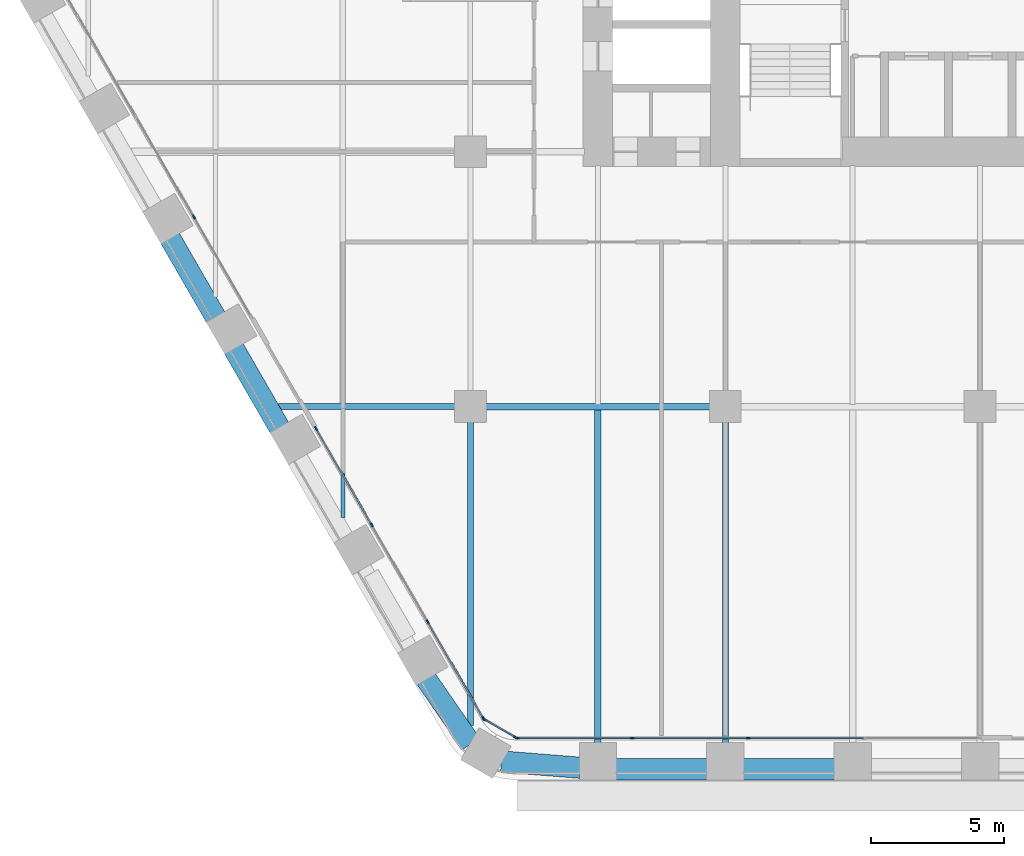
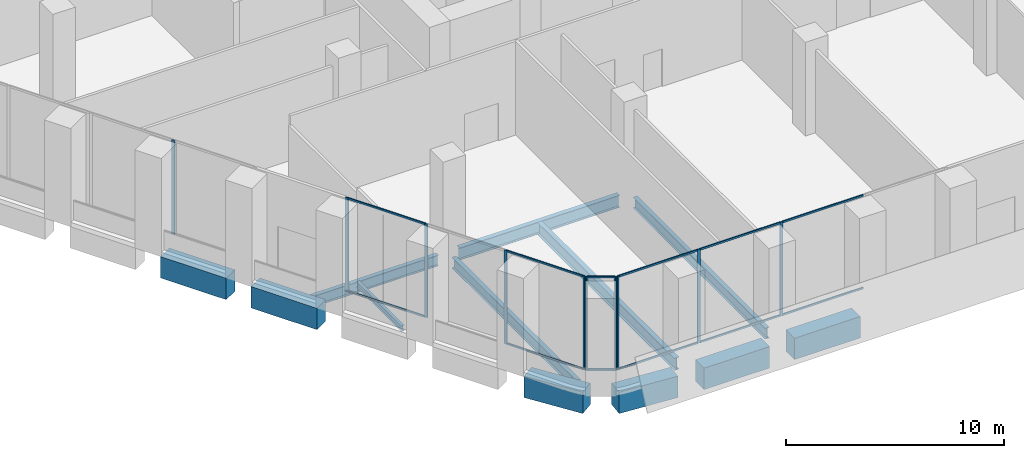
# One storey, part 2 of 27: 22 members, 12 beams, 4 elements without a shape of their own.
"""IFC4 building model written with IfcOpenShell, lengths in metres."""

from ifc_helpers import new_model, si_unit, direction, frame, origin, origin_2d, place, context, subcontext, project, spatial, rectangle, i_section, extrude, material, material_profile, profile_set, type_object, element, aggregate, save


model = new_model("IFC4")

# Units and contexts
model_context = context("Model", 3, precision=1e-05, world=origin(), true_north=direction((0.0, 1.0)))
body_context = subcontext(model_context, "Body", "Model", "MODEL_VIEW")
ifc_project = project(units=[si_unit("LENGTHUNIT", "METRE"), si_unit("AREAUNIT", "SQUARE_METRE"), si_unit("VOLUMEUNIT", "CUBIC_METRE"), si_unit("PLANEANGLEUNIT", "RADIAN"), si_unit("MASSUNIT", "GRAM", prefix="KILO")], contexts=[model_context])

# Site, building, storey
site_placement = place(None, origin())
site = spatial("IfcSite", under=ifc_project, at=site_placement, CompositionType="ELEMENT")
building_placement = place(site_placement, origin())
building = spatial("IfcBuilding", under=site, at=building_placement, Name="Kolab Exchange Tower", CompositionType="ELEMENT")
storey_placement = place(building_placement, frame((0.0, 0.0, 49.89990234375)))
storey = spatial("IfcBuildingStorey", under=building, at=storey_placement, Name="L09", CompositionType="ELEMENT", Elevation=49.89990234375)

# Beams
ifc_material_1 = material(Name="Steel S355", Category="steel")
ifc_material_profile_1 = material_profile(ifc_material_1, i_section(OverallWidth=0.1650390625, OverallDepth=0.31005859375, WebThickness=0.005859375, FlangeThickness=0.009765625, at=origin_2d()), Name="W310X39")
ifc_profile_set_1 = profile_set([ifc_material_profile_1], Name="Steel S355")
beam_type_1 = type_object("IfcBeamType", Name="FLOOR BEAM W310X39", PredefinedType="BEAM", material=ifc_profile_set_1)
beam_1_placement = place(storey_placement, frame((-24.0, -23.381591796875, -0.40478515625), z_axis=(0.0, 1.0, 0.0), x_axis=(-1.0, 0.0, 0.0)))
element("IfcBeam", 1, at=beam_1_placement, inside=storey, type_object=beam_type_1, Name="beam/L09/fr/006", PredefinedType="BEAM", context=body_context, shape_type="SweptSolid", body=[
    extrude(i_section(OverallWidth=0.1650390625, OverallDepth=0.31005859375, WebThickness=0.005859375, FlangeThickness=0.009765625, at=origin_2d()), origin(), (0.0, 0.0, 1.0), 4.107666015625),
])
ifc_material_profile_2 = material_profile(ifc_material_1, i_section(OverallWidth=0.22802734375, OverallDepth=0.60791015625, WebThickness=0.01123046875, FlangeThickness=0.017333984375, at=origin_2d()), Name="W610X113")
ifc_profile_set_2 = profile_set([ifc_material_profile_2], Name="Steel S355")
beam_type_2 = type_object("IfcBeamType", Name="FLOOR BEAM W610X113", PredefinedType="BEAM", material=ifc_profile_set_2)
beam_2_placement = place(storey_placement, frame((-19.199951171875, -31.214599609375, -0.553955078125), z_axis=(0.0, 1.0, 0.0), x_axis=(-1.0, 0.0, 0.0)))
element("IfcBeam", 2, at=beam_2_placement, inside=storey, type_object=beam_type_2, Name="beam/L09/fr/012", PredefinedType="BEAM", context=body_context, shape_type="SweptSolid", body=[
    extrude(i_section(OverallWidth=0.22802734375, OverallDepth=0.60791015625, WebThickness=0.01123046875, FlangeThickness=0.017333984375, at=origin_2d()), origin(), (0.0, 0.0, 1.0), 11.45458984375),
])
beam_3_placement = place(storey_placement, frame((-9.60009765625, -31.8955078125, -0.553955078125), z_axis=(0.0, 1.0, 0.0), x_axis=(-1.0, 0.0, 0.0)))
element("IfcBeam", 3, at=beam_3_placement, inside=storey, type_object=beam_type_2, Name="beam/L09/fr/022", PredefinedType="BEAM", context=body_context, shape_type="SweptSolid", body=[
    extrude(i_section(OverallWidth=0.22802734375, OverallDepth=0.60791015625, WebThickness=0.01123046875, FlangeThickness=0.017333984375, at=origin_2d()), origin(), (0.0, 0.0, 1.0), 12.135498046875),
])
ifc_material_profile_3 = material_profile(ifc_material_1, i_section(OverallWidth=0.25390625, OverallDepth=0.68408203125, WebThickness=0.012451171875, FlangeThickness=0.018798828125, at=origin_2d()), Name="W690X140")
ifc_profile_set_3 = profile_set([ifc_material_profile_3], Name="Steel S355")
beam_type_3 = type_object("IfcBeamType", Name="FLOOR BEAM W690X140", PredefinedType="BEAM", material=ifc_profile_set_3)
beam_4_placement = place(storey_placement, frame((-14.39990234375, -31.8955078125, -0.591796875), z_axis=(0.0, 1.0, 0.0), x_axis=(-1.0, 0.0, 0.0)))
element("IfcBeam", 4, at=beam_4_placement, inside=storey, type_object=beam_type_3, Name="beam/L09/fr/018", PredefinedType="BEAM", context=body_context, shape_type="SweptSolid", body=[
    extrude(i_section(OverallWidth=0.25390625, OverallDepth=0.68408203125, WebThickness=0.012451171875, FlangeThickness=0.018798828125, at=origin_2d()), origin(), (0.0, 0.0, 1.0), 12.6083984375),
])
ifc_material_profile_4 = material_profile(ifc_material_1, i_section(OverallWidth=0.22802734375, OverallDepth=0.60791015625, WebThickness=0.01123046875, FlangeThickness=0.017333984375, at=origin_2d()), Name="W610X113")
ifc_profile_set_4 = profile_set([ifc_material_profile_4], Name="Steel S355")
beam_type_4 = type_object("IfcBeamType", Name="FLOOR GIRDER W610X113", PredefinedType="BEAM", material=ifc_profile_set_4)
beam_5_placement = place(storey_placement, frame((-26.43115234375, -19.199951171875, -0.553955078125), z_axis=(1.0, 0.0, 0.0), x_axis=(0.0, 1.0, 0.0)))
element("IfcBeam", 5, at=beam_5_placement, inside=storey, type_object=beam_type_4, Name="beam/L09/gd/004", PredefinedType="BEAM", context=body_context, shape_type="SweptSolid", body=[
    extrude(i_section(OverallWidth=0.22802734375, OverallDepth=0.60791015625, WebThickness=0.01123046875, FlangeThickness=0.017333984375, at=origin_2d()), origin(), (0.0, 0.0, 1.0), 6.671142578125),
])
ifc_material_profile_5 = material_profile(ifc_material_1, i_section(OverallWidth=0.25390625, OverallDepth=0.68408203125, WebThickness=0.012451171875, FlangeThickness=0.018798828125, at=origin_2d()), Name="W690X140")
ifc_profile_set_5 = profile_set([ifc_material_profile_5], Name="Steel S355")
beam_type_5 = type_object("IfcBeamType", Name="FLOOR GIRDER W690X140", PredefinedType="BEAM", material=ifc_profile_set_5)
beam_6_placement = place(storey_placement, frame((-18.639892578125, -19.199951171875, -0.591796875), z_axis=(1.0, 0.0, 0.0), x_axis=(0.0, 1.0, 0.0)))
element("IfcBeam", 6, at=beam_6_placement, inside=storey, type_object=beam_type_5, Name="beam/L09/gd/006", PredefinedType="BEAM", context=body_context, shape_type="SweptSolid", body=[
    extrude(i_section(OverallWidth=0.25390625, OverallDepth=0.68408203125, WebThickness=0.012451171875, FlangeThickness=0.018798828125, at=origin_2d()), origin(), (0.0, 0.0, 1.0), 8.47998046875),
])
ifc_material_2 = material(Name="Concrete C80/95", Category="concrete")
ifc_material_profile_6 = material_profile(ifc_material_2, rectangle(XDim=0.800048828125, YDim=1.199951171875, at=origin_2d()), Name="RC800X1200")
ifc_profile_set_6 = profile_set([ifc_material_profile_6], Name="Concrete C80/95")
beam_type_6 = type_object("IfcBeamType", Name="SPANDREL BEAM 800X1200 C80/95", PredefinedType="BEAM", material=ifc_profile_set_6)
for number, where, z_axis, x_axis, name in (
    (7, (-5.4599609375, -32.85546875, -0.849853515625), (-1.0, 0.0, 0.0), (0.0, -1.0, 0.0), "beam/L09/sp/F4-06"),
    (8, (-10.260009765625, -32.85546875, -0.849853515625), (-1.0, 0.0, 0.0), (0.0, -1.0, 0.0), "beam/L09/sp/F4-07"),
):
    element("IfcBeam", number, at=place(storey_placement, frame(where, z_axis=z_axis, x_axis=x_axis)), inside=storey, type_object=beam_type_6, Name=name, PredefinedType="BEAM", context=body_context, shape_type="SweptSolid", body=[
        extrude(rectangle(XDim=0.800048828125, YDim=1.199951171875, at=origin_2d()), origin(), (0.0, 0.0, 1.0), 3.47998046875),
    ])
beam_7_placement = place(storey_placement, frame((-15.06005859375, -32.802734375, -0.849853515625), z_axis=(-0.996833978278, 0.07951112973, 0.0), x_axis=(-0.07951112973, -0.996833978278, 0.0)))
element("IfcBeam", 9, at=beam_7_placement, inside=storey, type_object=beam_type_6, Name="beam/L09/sp/F4-08", PredefinedType="BEAM", context=body_context, shape_type="SweptSolid", body=[
    extrude(rectangle(XDim=0.800048828125, YDim=1.199951171875, at=origin_2d()), origin(), (0.0, 0.0, 1.0), 2.984619140625),
])
beam_8_placement = place(storey_placement, frame((-19.18505859375, -31.901611328125, -0.849853515625), z_axis=(-0.567247290755, 0.823547516013, 0.0), x_axis=(-0.823547516013, -0.567247290755, 0.0)))
element("IfcBeam", 10, at=beam_8_placement, inside=storey, type_object=beam_type_6, Name="beam/L09/sp/F5-01", PredefinedType="BEAM", context=body_context, shape_type="SweptSolid", body=[
    extrude(rectangle(XDim=0.800048828125, YDim=1.199951171875, at=origin_2d()), origin(), (0.0, 0.0, 1.0), 2.984375),
])
beam_9_placement = place(storey_placement, frame((-26.383544921875, -20.012939453125, -0.849853515625), z_axis=(-0.500009906705, 0.86601968407, 0.0), x_axis=(-0.86601968407, -0.500009906705, 0.0)))
element("IfcBeam", 11, at=beam_9_placement, inside=storey, type_object=beam_type_6, Name="beam/L09/sp/F5-04", PredefinedType="BEAM", context=body_context, shape_type="SweptSolid", body=[
    extrude(rectangle(XDim=0.800048828125, YDim=1.199951171875, at=origin_2d()), origin(), (0.0, 0.0, 1.0), 3.47998046875),
])
beam_10_placement = place(storey_placement, frame((-28.78369140625, -15.856201171875, -0.849853515625), z_axis=(-0.499979528911, 0.866037222451, 0.0), x_axis=(-0.866037222451, -0.499979528911, 0.0)))
element("IfcBeam", 12, at=beam_10_placement, inside=storey, type_object=beam_type_6, Name="beam/L09/sp/F5-05", PredefinedType="BEAM", context=body_context, shape_type="SweptSolid", body=[
    extrude(rectangle(XDim=0.800048828125, YDim=1.199951171875, at=origin_2d()), origin(), (0.0, 0.0, 1.0), 3.480224609375),
])

# Curtain wall, members
ifc_material_3 = material(Name="Aluminium EN AW-6063 T6", Category="aluminium")
curtain_wall_type = type_object("IfcCurtainWallType", Name="UNITISED LOW ZONE CURTAIN WALL", PredefinedType="NOTDEFINED", material=ifc_material_3)
curtain_wall_1_placement = place(storey_placement, origin())
curtain_wall_1 = element("IfcCurtainWall", 13, at=curtain_wall_1_placement, inside=storey, type_object=curtain_wall_type, Name="cw/L09/F4-2", PredefinedType="NOTDEFINED")
ifc_material_profile_7 = material_profile(ifc_material_3, rectangle(XDim=0.06005859375, YDim=0.159912109375, at=origin_2d()), Name="RECT 60X160")
ifc_profile_set_7 = profile_set([ifc_material_profile_7], Name="Aluminium EN AW-6063 T6")
member_type_1 = type_object("IfcMemberType", Name="UNITISED LOW ZONE MULLION 60 X 160", PredefinedType="MULLION", material=ifc_profile_set_7)
member_1_placement = place(storey_placement, frame((-8.73388671875, -31.67529296875, 0.0), z_axis=(0.0, 0.0, 1.0), x_axis=(0.0, -1.0, 0.0)))
member_1 = element("IfcMember", 14, at=member_1_placement, type_object=member_type_1, Name="CW1 mullion 3", PredefinedType="MULLION", context=body_context, shape_type="SweptSolid", body=[
    extrude(rectangle(XDim=0.06005859375, YDim=0.159912109375, at=origin_2d()), origin(), (0.0, 0.0, 1.0), 5.25),
])
member_2_placement = place(storey_placement, frame((-13.10107421875, -31.67529296875, 0.0), z_axis=(0.0, 0.0, 1.0), x_axis=(0.0, -1.0, 0.0)))
member_2 = element("IfcMember", 15, at=member_2_placement, type_object=member_type_1, Name="CW1 mullion 4", PredefinedType="MULLION", context=body_context, shape_type="SweptSolid", body=[
    extrude(rectangle(XDim=0.06005859375, YDim=0.159912109375, at=origin_2d()), origin(), (0.0, 0.0, 1.0), 5.25),
])
member_3_placement = place(storey_placement, frame((-17.43798828125, -31.67529296875, 0.0), z_axis=(0.0, 0.0, 1.0), x_axis=(0.0, -1.0, 0.0)))
member_3 = element("IfcMember", 16, at=member_3_placement, type_object=member_type_1, Name="CW1 mullion 5", PredefinedType="MULLION", context=body_context, shape_type="SweptSolid", body=[
    extrude(rectangle(XDim=0.06005859375, YDim=0.159912109375, at=origin_2d()), origin(), (0.0, 0.0, 1.0), 5.25),
])

curtain_wall_2_placement = place(storey_placement, origin())
curtain_wall_2 = element("IfcCurtainWall", 17, at=curtain_wall_2_placement, inside=storey, type_object=curtain_wall_type, Name="cw/L09/F5-1", PredefinedType="NOTDEFINED")
member_4_placement = place(storey_placement, frame((-18.712646484375, -30.939453125, 0.0), z_axis=(0.0, 0.0, 1.0), x_axis=(-0.866025393644, -0.500000017564, 0.0)))
member_4 = element("IfcMember", 18, at=member_4_placement, type_object=member_type_1, Name="CW1 mullion 1", PredefinedType="MULLION", context=body_context, shape_type="SweptSolid", body=[
    extrude(rectangle(XDim=0.06005859375, YDim=0.159912109375, at=origin_2d()), origin(), (0.0, 0.0, 1.0), 5.25),
])
member_5_placement = place(storey_placement, frame((-20.80908203125, -27.308349609375, 0.0), z_axis=(0.0, 0.0, 1.0), x_axis=(-0.866025393644, -0.500000017564, 0.0)))
member_5 = element("IfcMember", 19, at=member_5_placement, type_object=member_type_1, Name="CW1 mullion 2", PredefinedType="MULLION", context=body_context, shape_type="SweptSolid", body=[
    extrude(rectangle(XDim=0.06005859375, YDim=0.159912109375, at=origin_2d()), origin(), (0.0, 0.0, 1.0), 5.25),
])
member_6_placement = place(storey_placement, frame((-22.92041015625, -23.651611328125, 0.0), z_axis=(0.0, 0.0, 1.0), x_axis=(-0.866025393644, -0.500000017564, 0.0)))
member_6 = element("IfcMember", 20, at=member_6_placement, type_object=member_type_1, Name="CW1 mullion 3", PredefinedType="MULLION", context=body_context, shape_type="SweptSolid", body=[
    extrude(rectangle(XDim=0.06005859375, YDim=0.159912109375, at=origin_2d()), origin(), (0.0, 0.0, 1.0), 5.25),
])
member_7_placement = place(storey_placement, frame((-25.0166015625, -20.0205078125, 0.0), z_axis=(0.0, 0.0, 1.0), x_axis=(-0.866025393644, -0.500000017564, 0.0)))
member_7 = element("IfcMember", 21, at=member_7_placement, type_object=member_type_1, Name="CW1 mullion 4", PredefinedType="MULLION", context=body_context, shape_type="SweptSolid", body=[
    extrude(rectangle(XDim=0.06005859375, YDim=0.159912109375, at=origin_2d()), origin(), (0.0, 0.0, 1.0), 5.25),
])

# Curtain wall, member
curtain_wall_3_placement = place(storey_placement, origin())
curtain_wall_3 = element("IfcCurtainWall", 22, at=curtain_wall_3_placement, inside=storey, type_object=curtain_wall_type, Name="cw/L09/F5-2", PredefinedType="NOTDEFINED")
member_8_placement = place(storey_placement, frame((-29.615234375, -12.0556640625, 0.0), z_axis=(0.0, 0.0, 1.0), x_axis=(-0.866025422102, -0.499999968274, 0.0)))
member_8 = element("IfcMember", 23, at=member_8_placement, type_object=member_type_1, Name="CW1 mullion 2", PredefinedType="MULLION", context=body_context, shape_type="SweptSolid", body=[
    extrude(rectangle(XDim=0.06005859375, YDim=0.159912109375, at=origin_2d()), origin(), (0.0, 0.0, 1.0), 5.25),
])
aggregate(curtain_wall_3, [member_8])

# Curtain wall, members
curtain_wall_4_placement = place(storey_placement, origin())
curtain_wall_4 = element("IfcCurtainWall", 24, at=curtain_wall_4_placement, inside=storey, type_object=curtain_wall_type, Name="cw/L09/F4F5-corner", PredefinedType="NOTDEFINED")
member_9_placement = place(storey_placement, frame((-17.493896484375, -31.660400390625, 0.0), z_axis=(0.0, 0.0, 1.0), x_axis=(-0.50000002237, -0.866025390869, 0.0)))
member_9 = element("IfcMember", 25, at=member_9_placement, type_object=member_type_1, Name="CW1 mullion 1", PredefinedType="MULLION", context=body_context, shape_type="SweptSolid", body=[
    extrude(rectangle(XDim=0.06005859375, YDim=0.159912109375, at=origin_2d()), origin(), (0.0, 0.0, 1.0), 5.25),
])
member_10_placement = place(storey_placement, frame((-18.671630859375, -30.98046875, 0.0), z_axis=(0.0, 0.0, 1.0), x_axis=(-0.50000002237, -0.866025390869, 0.0)))
member_10 = element("IfcMember", 26, at=member_10_placement, type_object=member_type_1, Name="CW1 mullion 2", PredefinedType="MULLION", context=body_context, shape_type="SweptSolid", body=[
    extrude(rectangle(XDim=0.06005859375, YDim=0.159912109375, at=origin_2d()), origin(), (0.0, 0.0, 1.0), 5.25),
])

# Member
ifc_material_profile_8 = material_profile(ifc_material_3, rectangle(XDim=0.06005859375, YDim=0.10009765625, at=origin_2d()), Name="RECT 60X100")
ifc_profile_set_8 = profile_set([ifc_material_profile_8], Name="Aluminium EN AW-6063 T6")
member_type_2 = type_object("IfcMemberType", Name="UNITISED LOW ZONE TRANSOM 60 X 100", PredefinedType="USERDEFINED", material=ifc_profile_set_8)
member_11_placement = place(storey_placement, frame((-4.39697265625, -31.67529296875, 0.030029296875), z_axis=(-1.0, 0.0, 0.0), x_axis=(0.0, -1.0, 0.0)))
member_11 = element("IfcMember", 27, at=member_11_placement, type_object=member_type_2, Name="CW1 transom 2.1", ObjectType="TRANSOM", PredefinedType="USERDEFINED", context=body_context, shape_type="SweptSolid", body=[
    extrude(rectangle(XDim=0.06005859375, YDim=0.10009765625, at=origin_2d()), origin(), (0.0, 0.0, 1.0), 4.306884765625),
])

member_12_placement = place(storey_placement, frame((-4.39697265625, -31.67529296875, 5.22021484375), z_axis=(-1.0, 0.0, 0.0), x_axis=(0.0, -1.0, 0.0)))
member_12 = element("IfcMember", 28, at=member_12_placement, type_object=member_type_2, Name="CW1 transom 2.2", ObjectType="TRANSOM", PredefinedType="USERDEFINED", context=body_context, shape_type="SweptSolid", body=[
    extrude(rectangle(XDim=0.06005859375, YDim=0.10009765625, at=origin_2d()), origin(), (0.0, 0.0, 1.0), 4.306884765625),
])

member_13_placement = place(storey_placement, frame((-8.763916015625, -31.67529296875, 0.030029296875), z_axis=(-1.0, 0.0, 0.0), x_axis=(0.0, -1.0, 0.0)))
member_13 = element("IfcMember", 29, at=member_13_placement, type_object=member_type_2, Name="CW1 transom 3.1", ObjectType="TRANSOM", PredefinedType="USERDEFINED", context=body_context, shape_type="SweptSolid", body=[
    extrude(rectangle(XDim=0.06005859375, YDim=0.10009765625, at=origin_2d()), origin(), (0.0, 0.0, 1.0), 4.30712890625),
])

member_14_placement = place(storey_placement, frame((-8.763916015625, -31.67529296875, 5.22021484375), z_axis=(-1.0, 0.0, 0.0), x_axis=(0.0, -1.0, 0.0)))
member_14 = element("IfcMember", 30, at=member_14_placement, type_object=member_type_2, Name="CW1 transom 3.2", ObjectType="TRANSOM", PredefinedType="USERDEFINED", context=body_context, shape_type="SweptSolid", body=[
    extrude(rectangle(XDim=0.06005859375, YDim=0.10009765625, at=origin_2d()), origin(), (0.0, 0.0, 1.0), 4.30712890625),
])

member_15_placement = place(storey_placement, frame((-13.130859375, -31.67529296875, 0.030029296875), z_axis=(-1.0, 0.0, 0.0), x_axis=(0.0, -1.0, 0.0)))
member_15 = element("IfcMember", 31, at=member_15_placement, type_object=member_type_2, Name="CW1 transom 4.1", ObjectType="TRANSOM", PredefinedType="USERDEFINED", context=body_context, shape_type="SweptSolid", body=[
    extrude(rectangle(XDim=0.06005859375, YDim=0.10009765625, at=origin_2d()), origin(), (0.0, 0.0, 1.0), 4.277099609375),
])

member_16_placement = place(storey_placement, frame((-13.130859375, -31.67529296875, 5.22021484375), z_axis=(-1.0, 0.0, 0.0), x_axis=(0.0, -1.0, 0.0)))
member_16 = element("IfcMember", 32, at=member_16_placement, type_object=member_type_2, Name="CW1 transom 4.2", ObjectType="TRANSOM", PredefinedType="USERDEFINED", context=body_context, shape_type="SweptSolid", body=[
    extrude(rectangle(XDim=0.06005859375, YDim=0.10009765625, at=origin_2d()), origin(), (0.0, 0.0, 1.0), 4.277099609375),
])

aggregate(curtain_wall_1, [member_1, member_2, member_3, member_11, member_12, member_13, member_14, member_15, member_16])

member_17_placement = place(storey_placement, frame((-18.727783203125, -30.913330078125, 0.030029296875), z_axis=(-0.499983268986, 0.866035063224, 0.0), x_axis=(-0.866035063224, -0.499983268986, 0.0)))
member_17 = element("IfcMember", 33, at=member_17_placement, type_object=member_type_2, Name="CW1 transom 1.1", ObjectType="TRANSOM", PredefinedType="USERDEFINED", context=body_context, shape_type="SweptSolid", body=[
    extrude(rectangle(XDim=0.06005859375, YDim=0.10009765625, at=origin_2d()), origin(), (0.0, 0.0, 1.0), 4.132568359375),
])

member_18_placement = place(storey_placement, frame((-18.727783203125, -30.913330078125, 5.22021484375), z_axis=(-0.499983268986, 0.866035063224, 0.0), x_axis=(-0.866035063224, -0.499983268986, 0.0)))
member_18 = element("IfcMember", 34, at=member_18_placement, type_object=member_type_2, Name="CW1 transom 1.2", ObjectType="TRANSOM", PredefinedType="USERDEFINED", context=body_context, shape_type="SweptSolid", body=[
    extrude(rectangle(XDim=0.06005859375, YDim=0.10009765625, at=origin_2d()), origin(), (0.0, 0.0, 1.0), 4.132568359375),
])

member_19_placement = place(storey_placement, frame((-22.935302734375, -23.62548828125, 0.030029296875), z_axis=(-0.500027577057, 0.866009481578, 0.0), x_axis=(-0.866009481578, -0.500027577057, 0.0)))
member_19 = element("IfcMember", 35, at=member_19_placement, type_object=member_type_2, Name="CW1 transom 3.1", ObjectType="TRANSOM", PredefinedType="USERDEFINED", context=body_context, shape_type="SweptSolid", body=[
    extrude(rectangle(XDim=0.06005859375, YDim=0.10009765625, at=origin_2d()), origin(), (0.0, 0.0, 1.0), 4.132568359375),
])

member_20_placement = place(storey_placement, frame((-22.935302734375, -23.62548828125, 5.22021484375), z_axis=(-0.500027577057, 0.866009481578, 0.0), x_axis=(-0.866009481578, -0.500027577057, 0.0)))
member_20 = element("IfcMember", 36, at=member_20_placement, type_object=member_type_2, Name="CW1 transom 3.2", ObjectType="TRANSOM", PredefinedType="USERDEFINED", context=body_context, shape_type="SweptSolid", body=[
    extrude(rectangle(XDim=0.06005859375, YDim=0.10009765625, at=origin_2d()), origin(), (0.0, 0.0, 1.0), 4.132568359375),
])

aggregate(curtain_wall_2, [member_4, member_5, member_6, member_7, member_17, member_18, member_19, member_20])

member_21_placement = place(storey_placement, frame((-17.52001953125, -31.645263671875, 0.030029296875), z_axis=(-0.86603858612, 0.49997716683, 0.0), x_axis=(-0.49997716683, -0.86603858612, 0.0)))
member_21 = element("IfcMember", 37, at=member_21_placement, type_object=member_type_2, Name="CW1 transom 1.1", ObjectType="TRANSOM", PredefinedType="USERDEFINED", context=body_context, shape_type="SweptSolid", body=[
    extrude(rectangle(XDim=0.06005859375, YDim=0.10009765625, at=origin_2d()), origin(), (0.0, 0.0, 1.0), 1.2998046875),
])

member_22_placement = place(storey_placement, frame((-17.52001953125, -31.645263671875, 5.22021484375), z_axis=(-0.86603858612, 0.49997716683, 0.0), x_axis=(-0.49997716683, -0.86603858612, 0.0)))
member_22 = element("IfcMember", 38, at=member_22_placement, type_object=member_type_2, Name="CW1 transom 1.2", ObjectType="TRANSOM", PredefinedType="USERDEFINED", context=body_context, shape_type="SweptSolid", body=[
    extrude(rectangle(XDim=0.06005859375, YDim=0.10009765625, at=origin_2d()), origin(), (0.0, 0.0, 1.0), 1.2998046875),
])

aggregate(curtain_wall_4, [member_9, member_10, member_21, member_22])

save(model, "model.ifc")
